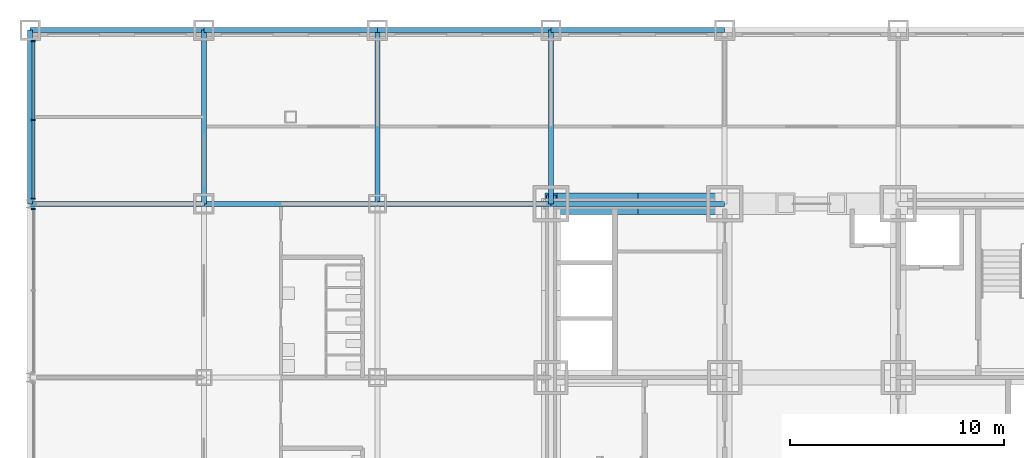
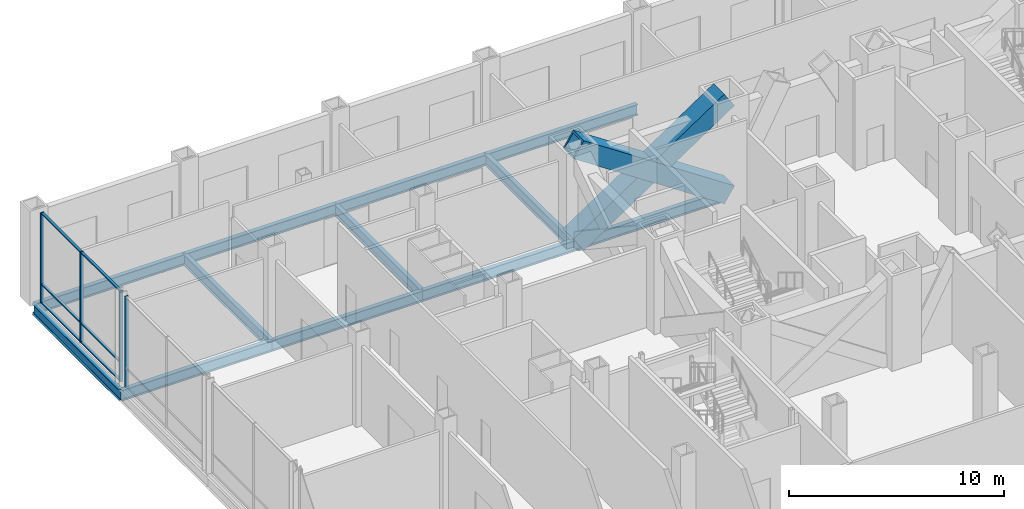
# One storey, part 15 of 29: 12 beams, 12 members, 2 elements without a shape of their own.
"""IFC4 building model written with IfcOpenShell, lengths in metres."""

from ifc_helpers import new_model, si_unit, direction, frame, origin, origin_2d, place, context, subcontext, project, spatial, rectangle, hollow_rectangle, i_section, extrude, material, material_profile, profile_set, type_object, element, aggregate, save


model = new_model("IFC4")

# Units and contexts
model_context = context("Model", 3, precision=1e-05, world=origin(), true_north=direction((0.0, 1.0)))
body_context = subcontext(model_context, "Body", "Model", "MODEL_VIEW")
ifc_project = project(units=[si_unit("LENGTHUNIT", "METRE"), si_unit("AREAUNIT", "SQUARE_METRE"), si_unit("VOLUMEUNIT", "CUBIC_METRE"), si_unit("PLANEANGLEUNIT", "RADIAN"), si_unit("MASSUNIT", "GRAM", prefix="KILO")], contexts=[model_context])

# Site, building, storey
site_placement = place(None, origin())
site = spatial("IfcSite", under=ifc_project, at=site_placement, CompositionType="ELEMENT")
building_placement = place(site_placement, origin())
building = spatial("IfcBuilding", under=site, at=building_placement, Name="Kopane Lantern Tower", CompositionType="ELEMENT")
storey_placement = place(building_placement, frame((0.0, 0.0, 11.39990234375)))
storey = spatial("IfcBuildingStorey", under=building, at=storey_placement, Name="L02", CompositionType="ELEMENT", Elevation=11.39990234375)

# Members
ifc_material_1 = material(Name="Steel S355JR", Category="steel")
ifc_material_profile_1 = material_profile(ifc_material_1, hollow_rectangle(XDim=1.0, YDim=1.0, WallThickness=0.10009765625, at=origin_2d()), Name="BOX 1000x1000x100")
ifc_profile_set_1 = profile_set([ifc_material_profile_1], Name="Steel S355JR")
member_type_1 = type_object("IfcMemberType", Name="BRACE BOX 1000x1000x100", PredefinedType="BRACE", material=ifc_profile_set_1)
for number, where, z_axis, x_axis, name in (
    (1, (16.199951171875, 40.5, -0.25), (0.832046436124, 0.0, 0.554705983502), (0.0, 1.0, 0.0), "Core brace L02"),
    (2, (24.300048828125, 40.5, -0.25), (-0.832046436124, 0.0, 0.554705983502), (0.0, -1.0, 0.0), "Core brace L02"),
):
    element("IfcMember", number, at=place(storey_placement, frame(where, z_axis=z_axis, x_axis=x_axis)), inside=storey, type_object=member_type_1, Name=name, PredefinedType="BRACE", context=body_context, shape_type="SweptSolid", body=[
        extrude(hollow_rectangle(XDim=1.0, YDim=1.0, WallThickness=0.10009765625, at=origin_2d()), origin(), (0.0, 0.0, 1.0), 9.735107421875),
    ])

# Beams
ifc_material_2 = material(Name="Steel S355JR", Category="steel")
ifc_material_profile_2 = material_profile(ifc_material_2, i_section(OverallWidth=0.22900390625, OverallDepth=0.6123046875, WebThickness=0.011962890625, FlangeThickness=0.01953125, FilletRadius=0.0126953125, at=origin_2d()), Name="UB 610x229x125")
ifc_profile_set_2 = profile_set([ifc_material_profile_2], Name="Steel S355JR")
beam_type = type_object("IfcBeamType", Name="GIRDER UB 610x229x125", PredefinedType="BEAM", material=ifc_profile_set_2)
for number, where, z_axis, x_axis, name in (
    (3, (-8.10009765625, 40.5, -0.555908203125), (0.0, 1.0, 0.0), (-1.0, 0.0, 0.0), "Girder L02"),
    (4, (-8.10009765625, 40.5, -0.555908203125), (1.0, 0.0, 0.0), (0.0, 1.0, 0.0), "Girder L02"),
    (5, (-8.10009765625, 48.60009765625, -0.555908203125), (1.0, 0.0, 0.0), (0.0, 1.0, 0.0), "Girder L02"),
    (6, (0.0, 40.5, -0.555908203125), (0.0, 1.0, 0.0), (-1.0, 0.0, 0.0), "Girder L02"),
    (7, (0.0, 40.5, -0.555908203125), (1.0, 0.0, 0.0), (0.0, 1.0, 0.0), "Girder L02"),
    (8, (0.0, 48.60009765625, -0.555908203125), (1.0, 0.0, 0.0), (0.0, 1.0, 0.0), "Girder L02"),
    (9, (8.10009765625, 40.5, -0.555908203125), (0.0, 1.0, 0.0), (-1.0, 0.0, 0.0), "Girder L02"),
):
    element("IfcBeam", number, at=place(storey_placement, frame(where, z_axis=z_axis, x_axis=x_axis)), inside=storey, type_object=beam_type, Name=name, PredefinedType="BEAM", context=body_context, shape_type="SweptSolid", body=[
        extrude(i_section(OverallWidth=0.22900390625, OverallDepth=0.6123046875, WebThickness=0.011962890625, FlangeThickness=0.01953125, FilletRadius=0.0126953125, at=origin_2d()), origin(), (0.0, 0.0, 1.0), 8.10009765625),
    ])
for number, where, z_axis, x_axis, name in (
    (10, (8.10009765625, 40.5, -0.555908203125), (1.0, 0.0, 0.0), (0.0, 1.0, 0.0), "Girder L02"),
    (11, (8.10009765625, 48.60009765625, -0.555908203125), (1.0, 0.0, 0.0), (0.0, 1.0, 0.0), "Girder L02"),
):
    element("IfcBeam", number, at=place(storey_placement, frame(where, z_axis=z_axis, x_axis=x_axis)), inside=storey, type_object=beam_type, Name=name, PredefinedType="BEAM", context=body_context, shape_type="SweptSolid", body=[
        extrude(i_section(OverallWidth=0.22900390625, OverallDepth=0.6123046875, WebThickness=0.011962890625, FlangeThickness=0.01953125, FilletRadius=0.0126953125, at=origin_2d()), origin(), (0.0, 0.0, 1.0), 8.099853515625),
    ])
for number, where, z_axis, x_axis, name in (
    (12, (16.199951171875, 40.5, -0.555908203125), (0.0, 1.0, 0.0), (-1.0, 0.0, 0.0), "Girder L02"),
    (13, (16.199951171875, 40.5, -0.555908203125), (1.0, 0.0, 0.0), (0.0, 1.0, 0.0), "Girder L02"),
    (14, (16.199951171875, 48.60009765625, -0.555908203125), (1.0, 0.0, 0.0), (0.0, 1.0, 0.0), "Girder L02"),
):
    element("IfcBeam", number, at=place(storey_placement, frame(where, z_axis=z_axis, x_axis=x_axis)), inside=storey, type_object=beam_type, Name=name, PredefinedType="BEAM", context=body_context, shape_type="SweptSolid", body=[
        extrude(i_section(OverallWidth=0.22900390625, OverallDepth=0.6123046875, WebThickness=0.011962890625, FlangeThickness=0.01953125, FilletRadius=0.0126953125, at=origin_2d()), origin(), (0.0, 0.0, 1.0), 8.10009765625),
    ])

# Curtain wall, members
ifc_material_3 = material(Name="Aluminium and clear glass", Category="aluminium")
curtain_wall_type = type_object("IfcCurtainWallType", Name="CURTAIN WALL CW2 PODIUM UPPER", PredefinedType="USERDEFINED", material=ifc_material_3)
curtain_wall_1_placement = place(storey_placement, origin())
curtain_wall_1 = element("IfcCurtainWall", 15, at=curtain_wall_1_placement, inside=storey, type_object=curtain_wall_type, Name="Curtain wall CW2 W L02", ObjectType="CURTAIN WALL", PredefinedType="USERDEFINED")
ifc_material_4 = material(Name="Aluminium", Category="aluminium")
ifc_material_profile_3 = material_profile(ifc_material_4, rectangle(XDim=0.06005859375, YDim=0.179931640625, at=origin_2d()), Name="AL 60x180")
ifc_profile_set_3 = profile_set([ifc_material_profile_3], Name="Aluminium")
member_type_2 = type_object("IfcMemberType", Name="MULLION CW2-M 60x180", PredefinedType="MULLION", material=ifc_profile_set_3)
member_1_placement = place(storey_placement, frame((-7.949951171875, 48.090087890625, 0.0), z_axis=(0.0, 0.0, 1.0), x_axis=(0.0, -1.0, 0.0)))
member_1 = element("IfcMember", 16, at=member_1_placement, type_object=member_type_2, Name="CW2 mullion 1", PredefinedType="MULLION", context=body_context, shape_type="SweptSolid", body=[
    extrude(rectangle(XDim=0.06005859375, YDim=0.179931640625, at=origin_2d()), origin(), (0.0, 0.0, 1.0), 5.150146484375),
])
member_2_placement = place(storey_placement, frame((-7.949951171875, 44.4140625, 0.0), z_axis=(0.0, 0.0, 1.0), x_axis=(0.0, -1.0, 0.0)))
member_2 = element("IfcMember", 17, at=member_2_placement, type_object=member_type_2, Name="CW2 mullion 2", PredefinedType="MULLION", context=body_context, shape_type="SweptSolid", body=[
    extrude(rectangle(XDim=0.06005859375, YDim=0.179931640625, at=origin_2d()), origin(), (0.0, 0.0, 1.0), 5.150146484375),
])
member_3_placement = place(storey_placement, frame((-7.949951171875, 40.73828125, 0.0), z_axis=(0.0, 0.0, 1.0), x_axis=(0.0, -1.0, 0.0)))
member_3 = element("IfcMember", 18, at=member_3_placement, type_object=member_type_2, Name="CW2 mullion 3", PredefinedType="MULLION", context=body_context, shape_type="SweptSolid", body=[
    extrude(rectangle(XDim=0.06005859375, YDim=0.179931640625, at=origin_2d()), origin(), (0.0, 0.0, 1.0), 5.150146484375),
])

# Curtain wall, member
curtain_wall_2_placement = place(storey_placement, origin())
curtain_wall_2 = element("IfcCurtainWall", 19, at=curtain_wall_2_placement, inside=storey, type_object=curtain_wall_type, Name="Curtain wall CW2 W L02", ObjectType="CURTAIN WALL", PredefinedType="USERDEFINED")
member_4_placement = place(storey_placement, frame((-7.949951171875, 40.26171875, 0.0), z_axis=(0.0, 0.0, 1.0), x_axis=(0.0, -1.0, 0.0)))
member_4 = element("IfcMember", 20, at=member_4_placement, type_object=member_type_2, Name="CW2 mullion 1", PredefinedType="MULLION", context=body_context, shape_type="SweptSolid", body=[
    extrude(rectangle(XDim=0.06005859375, YDim=0.179931640625, at=origin_2d()), origin(), (0.0, 0.0, 1.0), 5.150146484375),
])
aggregate(curtain_wall_2, [member_4])

# Member
ifc_material_5 = material(Name="Aluminium", Category="aluminium")
ifc_material_profile_4 = material_profile(ifc_material_5, rectangle(XDim=0.139892578125, YDim=0.06005859375, at=origin_2d()), Name="AL 140x60")
ifc_profile_set_4 = profile_set([ifc_material_profile_4], Name="Aluminium")
member_type_3 = type_object("IfcMemberType", Name="TRANSOM CW2-T 60x140", PredefinedType="USERDEFINED", material=ifc_profile_set_4)
member_5_placement = place(storey_placement, frame((-7.949951171875, 48.06005859375, 0.030029296875), z_axis=(0.0, -1.0, 0.0), x_axis=(1.0, 0.0, 0.0)))
member_5 = element("IfcMember", 21, at=member_5_placement, type_object=member_type_3, Name="CW2 transom 1.1", ObjectType="TRANSOM", PredefinedType="USERDEFINED", context=body_context, shape_type="SweptSolid", body=[
    extrude(rectangle(XDim=0.139892578125, YDim=0.06005859375, at=origin_2d()), origin(), (0.0, 0.0, 1.0), 3.615966796875),
])

member_6_placement = place(storey_placement, frame((-7.949951171875, 48.06005859375, 1.10009765625), z_axis=(0.0, -1.0, 0.0), x_axis=(1.0, 0.0, 0.0)))
member_6 = element("IfcMember", 22, at=member_6_placement, type_object=member_type_3, Name="CW2 transom 1.2", ObjectType="TRANSOM", PredefinedType="USERDEFINED", context=body_context, shape_type="SweptSolid", body=[
    extrude(rectangle(XDim=0.139892578125, YDim=0.06005859375, at=origin_2d()), origin(), (0.0, 0.0, 1.0), 3.615966796875),
])

member_7_placement = place(storey_placement, frame((-7.949951171875, 48.06005859375, 5.1201171875), z_axis=(0.0, -1.0, 0.0), x_axis=(1.0, 0.0, 0.0)))
member_7 = element("IfcMember", 23, at=member_7_placement, type_object=member_type_3, Name="CW2 transom 1.3", ObjectType="TRANSOM", PredefinedType="USERDEFINED", context=body_context, shape_type="SweptSolid", body=[
    extrude(rectangle(XDim=0.139892578125, YDim=0.06005859375, at=origin_2d()), origin(), (0.0, 0.0, 1.0), 3.615966796875),
])

member_8_placement = place(storey_placement, frame((-7.949951171875, 44.384033203125, 0.030029296875), z_axis=(0.0, -1.0, 0.0), x_axis=(1.0, 0.0, 0.0)))
member_8 = element("IfcMember", 24, at=member_8_placement, type_object=member_type_3, Name="CW2 transom 2.1", ObjectType="TRANSOM", PredefinedType="USERDEFINED", context=body_context, shape_type="SweptSolid", body=[
    extrude(rectangle(XDim=0.139892578125, YDim=0.06005859375, at=origin_2d()), origin(), (0.0, 0.0, 1.0), 3.61572265625),
])

member_9_placement = place(storey_placement, frame((-7.949951171875, 44.384033203125, 1.10009765625), z_axis=(0.0, -1.0, 0.0), x_axis=(1.0, 0.0, 0.0)))
member_9 = element("IfcMember", 25, at=member_9_placement, type_object=member_type_3, Name="CW2 transom 2.2", ObjectType="TRANSOM", PredefinedType="USERDEFINED", context=body_context, shape_type="SweptSolid", body=[
    extrude(rectangle(XDim=0.139892578125, YDim=0.06005859375, at=origin_2d()), origin(), (0.0, 0.0, 1.0), 3.61572265625),
])

member_10_placement = place(storey_placement, frame((-7.949951171875, 44.384033203125, 5.1201171875), z_axis=(0.0, -1.0, 0.0), x_axis=(1.0, 0.0, 0.0)))
member_10 = element("IfcMember", 26, at=member_10_placement, type_object=member_type_3, Name="CW2 transom 2.3", ObjectType="TRANSOM", PredefinedType="USERDEFINED", context=body_context, shape_type="SweptSolid", body=[
    extrude(rectangle(XDim=0.139892578125, YDim=0.06005859375, at=origin_2d()), origin(), (0.0, 0.0, 1.0), 3.61572265625),
])

aggregate(curtain_wall_1, [member_1, member_2, member_3, member_5, member_6, member_7, member_8, member_9, member_10])

save(model, "model.ifc")
